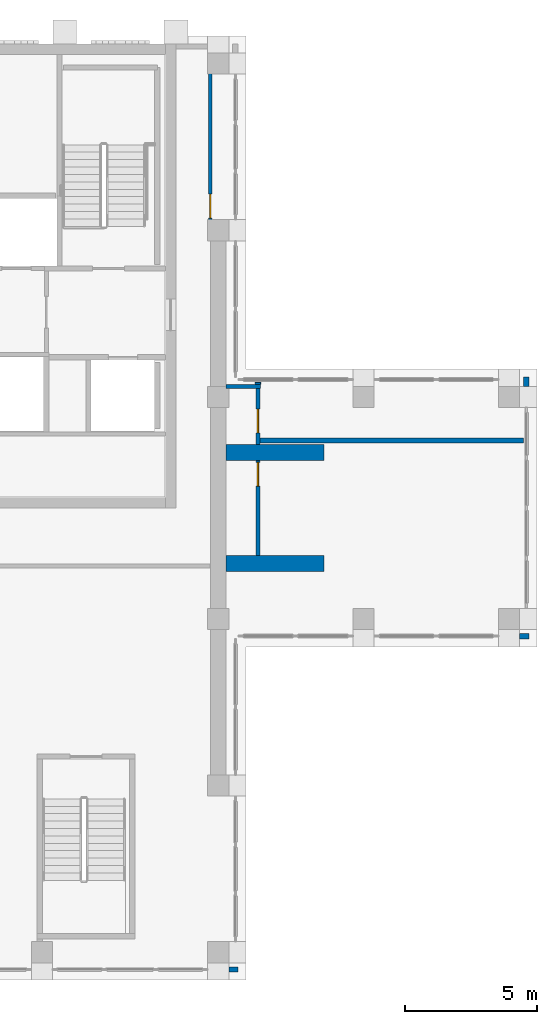
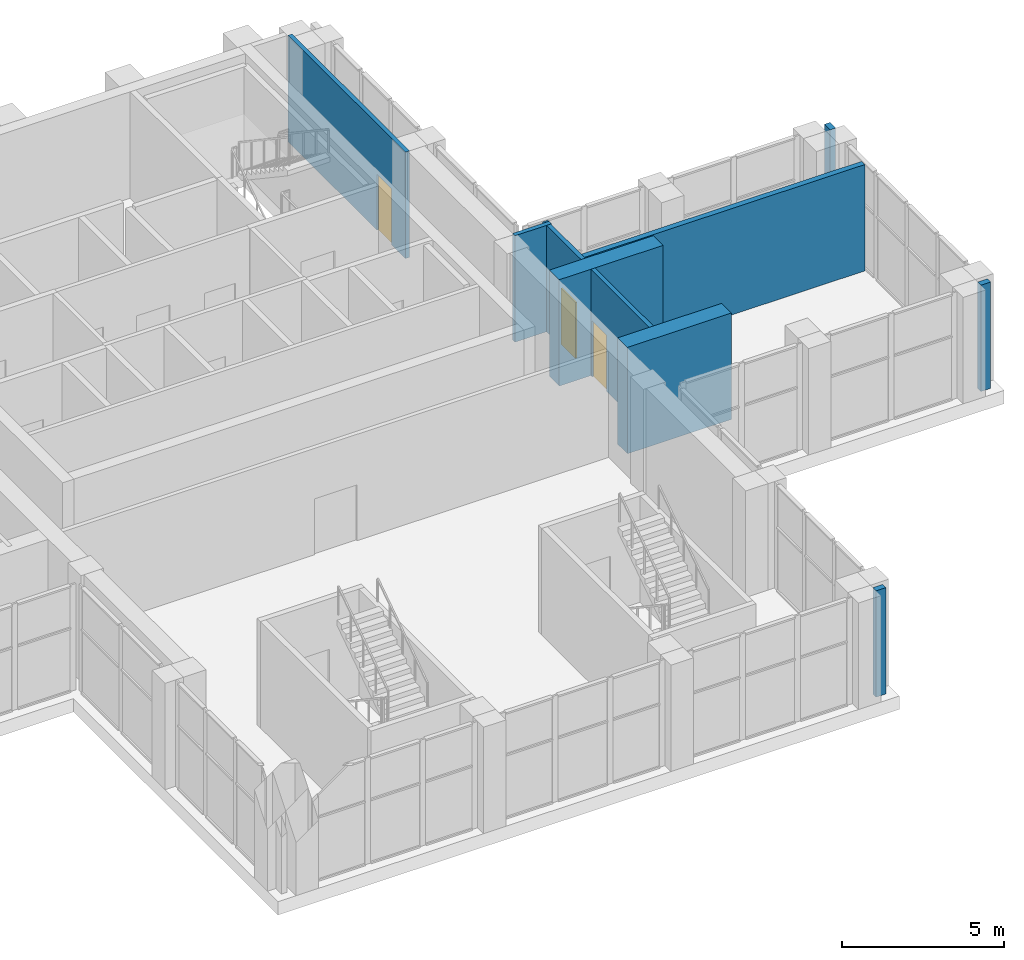
# One storey, part 11 of 15: 11 walls, 3 doors, 3 openings.
"""IFC4 building model written with IfcOpenShell, lengths in metres."""

import ifcopenshell
import ifcopenshell.guid

model = None  # the IFC model being written
_history = None  # IfcOwnerHistory: only IFC2X3 demands one
_inside = {}  # id of a spatial element -> (the spatial element, [elements in it])
_under = {}  # id of a project, library or spatial element -> (it, [spatial elements below it])
_declared = {}  # id of a project -> (the project, [libraries it declares])
_typed = {}  # id of a type object -> (the type object, [elements of that type])
_made_of = {}  # id of a material, layer set ... -> (it, [elements and type objects made of it])


def new_model(schema):
    """Start an empty IFC model of exactly this schema.

    Asked for "IFC4X3", IfcOpenShell would pick the latest addendum, in which some entities
    have other attributes; the version numbers below select the first issue.
    IFC2X3 requires an IfcOwnerHistory on every rooted entity: one is made here for all.
    """
    global model, _history
    if schema == "IFC4X3":
        model = ifcopenshell.file(schema_version=(4, 3, 0, 0))
    else:
        model = ifcopenshell.file(schema=schema)
    _inside.clear()
    _under.clear()
    _declared.clear()
    _typed.clear()
    _made_of.clear()
    _history = None
    if model.schema == "IFC2X3":
        org = make("IfcOrganization", Name="unknown")
        user = make(
            "IfcPersonAndOrganization",
            ThePerson=make("IfcPerson", FamilyName="unknown"),
            TheOrganization=org,
        )
        app = make(
            "IfcApplication",
            ApplicationDeveloper=org,
            Version="unknown",
            ApplicationFullName="unknown",
            ApplicationIdentifier="unknown",
        )
        _history = make(
            "IfcOwnerHistory",
            OwningUser=user,
            OwningApplication=app,
            ChangeAction="ADDED",
            CreationDate=0,
        )
    return model


def make(cls, **values):
    """One entity of the class cls with the attributes given. An attribute that is None is left unset."""
    return model.create_entity(
        cls, **{name: value for name, value in values.items() if value is not None}
    )


def rooted(cls, **values):
    """An entity with a GlobalId (a new one), such as an element, a storey or a relation."""
    return make(cls, GlobalId=ifcopenshell.guid.new(), OwnerHistory=_history, **values)


def si_unit(unit_type, name, prefix=None):
    """IfcSIUnit, for example si_unit("LENGTHUNIT", "METRE", prefix="MILLI")."""
    return make("IfcSIUnit", UnitType=unit_type, Prefix=prefix, Name=name)


def assignment(units):
    """IfcUnitAssignment: the units of a project."""
    return None if units is None else make("IfcUnitAssignment", Units=units)


def point(xyz):
    """IfcCartesianPoint."""
    return None if xyz is None else make("IfcCartesianPoint", Coordinates=xyz)


def direction(xyz):
    """IfcDirection."""
    return None if xyz is None else make("IfcDirection", DirectionRatios=xyz)


def frame(location, z_axis=None, x_axis=None):
    """IfcAxis2Placement3D, a coordinate frame: its origin and axes. An axis left out is left unset."""
    return make(
        "IfcAxis2Placement3D",
        Location=point(location),
        Axis=direction(z_axis),
        RefDirection=direction(x_axis),
    )


def frame_2d(location, x_axis=None):
    """IfcAxis2Placement2D, a coordinate frame in the plane: its origin and x axis."""
    return make(
        "IfcAxis2Placement2D", Location=point(location), RefDirection=direction(x_axis)
    )


def origin():
    """The frame at (0, 0, 0) with its axes left unset."""
    return frame((0.0, 0.0, 0.0))


def place(relative_to, where):
    """IfcLocalPlacement: puts the frame where relative to a parent placement (None: the world)."""
    return make(
        "IfcLocalPlacement", PlacementRelTo=relative_to, RelativePlacement=where
    )


def context(
    kind, dimensions, precision=None, world=None, true_north=None, identifier=None
):
    """IfcGeometricRepresentationContext, for example the 3D "Model" context."""
    return make(
        "IfcGeometricRepresentationContext",
        ContextIdentifier=identifier,
        ContextType=kind,
        CoordinateSpaceDimension=dimensions,
        Precision=precision,
        WorldCoordinateSystem=world,
        TrueNorth=true_north,
    )


def subcontext(parent, identifier, kind, view, scale=None):
    """IfcGeometricRepresentationSubContext, for example "Body" below "Model"."""
    return make(
        "IfcGeometricRepresentationSubContext",
        ContextIdentifier=identifier,
        ContextType=kind,
        ParentContext=parent,
        TargetScale=scale,
        TargetView=view,
    )


def project(units=None, contexts=None):
    """IfcProject with its units and contexts."""
    return rooted(
        "IfcProject",
        Name="project",
        RepresentationContexts=contexts,
        UnitsInContext=assignment(units),
    )


def spatial(cls, under=None, at=None, **own):
    """A site, building, storey or space (cls), placed at a placement, below another one or the project."""
    s = rooted(cls, ObjectPlacement=at, **own)
    if under is not None:
        _under.setdefault(under.id(), (under, []))[1].append(s)
    return s


def profile(cls, at=None, kind="AREA", **sizes):
    """A parametric profile (cls). Its sizes go by their IFC names, for example OverallWidth=200.0."""
    return make(cls, ProfileType=kind, Position=at, **sizes)


def rectangle(**sizes):
    """IfcRectangleProfileDef."""
    return profile("IfcRectangleProfileDef", **sizes)


def extrude(swept, where, along, depth):
    """IfcExtrudedAreaSolid: the profile swept, set in the frame where, extruded along a direction by depth."""
    return make(
        "IfcExtrudedAreaSolid",
        SweptArea=swept,
        Position=where,
        ExtrudedDirection=direction(along),
        Depth=depth,
    )


def shape(context_of_items, identifier, shape_type, items):
    """IfcShapeRepresentation: the items that make up one representation, for example the "Body"."""
    return make(
        "IfcShapeRepresentation",
        ContextOfItems=context_of_items,
        RepresentationIdentifier=identifier,
        RepresentationType=shape_type,
        Items=items,
    )


def material(Name=None, Category=None):
    """IfcMaterial."""
    return make("IfcMaterial", Name=Name, Category=Category)


def layer(
    of_material, thickness, ventilated=None, Name=None, Category=None, Priority=None
):
    """IfcMaterialLayer: one layer of a wall or slab, of a material (None: an air gap)."""
    return make(
        "IfcMaterialLayer",
        Material=of_material,
        LayerThickness=thickness,
        IsVentilated=ventilated,
        Name=Name,
        Category=Category,
        Priority=Priority,
    )


def layer_set(layers, Name=None):
    """IfcMaterialLayerSet."""
    return make("IfcMaterialLayerSet", MaterialLayers=layers, LayerSetName=Name)


def made_of(thing, what):
    """Note that an element or type object is made of a material, layer set ...; save() writes the relation."""
    if what is not None:
        _made_of.setdefault(what.id(), (what, []))[1].append(thing)
    return thing


def type_object(cls, material=None, **own):
    """A type object (cls), such as IfcWallType, which elements share."""
    return made_of(rooted(cls, **own), material)


def element(
    cls,
    number,
    at=None,
    inside=None,
    cuts=None,
    type_object=None,
    material=None,
    context=None,
    identifier="Body",
    shape_type=None,
    held_by="IfcProductDefinitionShape",
    body=None,
    shapes=None,
    **own,
):
    """One element of the class cls, such as IfcWall. Its Tag is "e" and its number.

    at: its placement. inside: the storey or other place that contains it. cuts: it is an
    opening in that element (IfcRelVoidsElement). A single representation is given by context,
    identifier, shape_type and body (its items); several are given by shapes. held_by: the class
    of the entity that holds the representations. save() writes the other relations.
    """
    e = rooted(cls, Tag="e%d" % number, ObjectPlacement=at, **own)
    if body is not None:
        shapes = [shape(context, identifier, shape_type, body)]
    if shapes is not None:
        e.Representation = make(held_by, Representations=shapes)
    if inside is not None:
        _inside.setdefault(inside.id(), (inside, []))[1].append(e)
    if cuts is not None:
        rooted(
            "IfcRelVoidsElement", RelatingBuildingElement=cuts, RelatedOpeningElement=e
        )
    if type_object is not None:
        _typed.setdefault(type_object.id(), (type_object, []))[1].append(e)
    return made_of(e, material)


def fill(opening, filler):
    """IfcRelFillsElement: the door or window that sits in an opening."""
    return rooted(
        "IfcRelFillsElement",
        RelatingOpeningElement=opening,
        RelatedBuildingElement=filler,
    )


def aggregate(whole, parts):
    """IfcRelAggregates: a whole, such as a stair, and the parts it consists of."""
    return rooted("IfcRelAggregates", RelatingObject=whole, RelatedObjects=parts)


def save(model, path):
    """Write the relations noted so far, then the file.

    IfcRelAggregates (storeys below a building ...), IfcRelContainedInSpatialStructure (elements
    in a storey), IfcRelDefinesByType, IfcRelAssociatesMaterial and IfcRelDeclares: one each for
    every whole, place, type object, material and project.
    """
    for whole, parts in _under.values():
        aggregate(whole, parts)
    for where, things in _inside.values():
        rooted(
            "IfcRelContainedInSpatialStructure",
            RelatedElements=things,
            RelatingStructure=where,
        )
    for kind, things in _typed.values():
        rooted("IfcRelDefinesByType", RelatedObjects=things, RelatingType=kind)
    for what, things in _made_of.values():
        rooted("IfcRelAssociatesMaterial", RelatedObjects=things, RelatingMaterial=what)
    for by, libraries in _declared.values():
        rooted("IfcRelDeclares", RelatingContext=by, RelatedDefinitions=libraries)
    model.write(path)


model = new_model("IFC4")

# Units and contexts
model_context = context("Model", 3, precision=1e-05, world=origin(), true_north=direction((0.0, 1.0)))
body_context = subcontext(model_context, "Body", "Model", "MODEL_VIEW")
ifc_project = project(units=[si_unit("LENGTHUNIT", "METRE"), si_unit("AREAUNIT", "SQUARE_METRE"), si_unit("VOLUMEUNIT", "CUBIC_METRE"), si_unit("PLANEANGLEUNIT", "RADIAN"), si_unit("MASSUNIT", "GRAM", prefix="KILO")], contexts=[model_context])

# Site, building, storey
site_placement = place(None, origin())
site = spatial("IfcSite", under=ifc_project, at=site_placement, CompositionType="ELEMENT")
building_placement = place(site_placement, origin())
building = spatial("IfcBuilding", under=site, at=building_placement, Name="Vermilion Ogive Tower", CompositionType="ELEMENT")
storey_placement = place(building_placement, frame((0.0, 0.0, 293.85009765625)))
storey = spatial("IfcBuildingStorey", under=building, at=storey_placement, Name="L76", CompositionType="ELEMENT", Elevation=293.85009765625)

# Wall
ifc_material_1 = material(Name="Gypsum board partition on steel studs", Category="steel")
ifc_layer_1 = layer(ifc_material_1, 0.14990234375)
ifc_layer_set_1 = layer_set([ifc_layer_1], Name="Partition 150 corridor")
wall_type_1 = type_object("IfcWallType", Name="Partition 150 corridor", PredefinedType="PARTITIONING", material=ifc_layer_set_1)
wall_1_placement = place(storey_placement, frame((10.301025390625, 8.800048828125, 0.0), z_axis=(0.0, 0.0, 1.0), x_axis=(1.0, 0.0, 0.0)))
element("IfcWall", 1, at=wall_1_placement, inside=storey, type_object=wall_type_1, Name="L76-FS-W-W006", PredefinedType="PARTITIONING", context=body_context, shape_type="SweptSolid", body=[
    extrude(rectangle(XDim=1.299072265625, YDim=0.14990234375, at=frame_2d((0.6494140625, 0.0))), origin(), (0.0, 0.0, 1.0), 4.0),
])

# Wall, opening, door
wall_2_placement = place(storey_placement, frame((9.699951171875, 14.301025390625, 0.0), z_axis=(0.0, 0.0, 1.0), x_axis=(0.0, 1.0, 0.0)))
wall_2 = element("IfcWall", 2, at=wall_2_placement, inside=storey, type_object=wall_type_1, Name="L76-FS-W-W011", PredefinedType="PARTITIONING", context=body_context, shape_type="SweptSolid", body=[
    extrude(rectangle(XDim=7.2490234375, YDim=0.14990234375, at=frame_2d((3.62451171875, 0.0))), origin(), (0.0, 0.0, 1.0), 4.0),
])
opening_1_placement = place(wall_2_placement, frame((0.861572265625, 0.0, 0.0)))
opening_1 = element("IfcOpeningElement", 3, at=opening_1_placement, cuts=wall_2, Name="Opening L76S009", PredefinedType="OPENING", context=body_context, shape_type="SweptSolid", body=[
    extrude(rectangle(XDim=0.89990234375, YDim=2.10009765625, at=frame_2d((0.449951171875, 1.050048828125))), frame((0.0, 0.0849609375, 0.0), z_axis=(0.0, -1.0, 0.0), x_axis=(1.0, 0.0, 0.0)), (0.0, 0.0, 1.0), 0.169921875),
])
ifc_material_2 = material(Name="Timber door leaf", Category="wood")
door_type = type_object("IfcDoorType", Name="Room door 900 x 2100 FD30", OperationType="SINGLE_SWING_LEFT", PredefinedType="DOOR", material=ifc_material_2)
door_1_placement = place(opening_1_placement, origin())
door_1 = element("IfcDoor", 4, at=door_1_placement, inside=storey, type_object=door_type, Name="L76-FS-D-D009", OperationType="SINGLE_SWING_RIGHT", OverallHeight=2.10009765625, OverallWidth=0.89990234375, PredefinedType="DOOR", context=body_context, shape_type="SweptSolid", body=[
    extrude(rectangle(XDim=0.89990234375, YDim=2.10009765625, at=frame_2d((0.449951171875, 1.050048828125))), frame((0.0, 0.02490234375, 0.0), z_axis=(0.0, -1.0, 0.0), x_axis=(1.0, 0.0, 0.0)), (0.0, 0.0, 1.0), 0.050048828125),
])
fill(opening_1, door_1)

wall_3_placement = place(storey_placement, frame((11.5, 2.40087890625, 0.0), z_axis=(0.0, 0.0, 1.0), x_axis=(0.0, 1.0, 0.0)))
wall_3 = element("IfcWall", 5, at=wall_3_placement, inside=storey, type_object=wall_type_1, Name="L76-FS-W-W012a", PredefinedType="PARTITIONING", context=body_context, shape_type="SweptSolid", body=[
    extrude(rectangle(XDim=3.59814453125, YDim=0.14990234375, at=frame_2d((1.799072265625, 0.0))), origin(), (0.0, 0.0, 1.0), 4.0),
])
opening_2_placement = place(wall_3_placement, frame((2.6240234375, 0.0, 0.0)))
opening_2 = element("IfcOpeningElement", 6, at=opening_2_placement, cuts=wall_3, Name="Opening L76S006", PredefinedType="OPENING", context=body_context, shape_type="SweptSolid", body=[
    extrude(rectangle(XDim=0.89990234375, YDim=2.10009765625, at=frame_2d((0.449951171875, 1.050048828125))), frame((0.0, 0.0849609375, 0.0), z_axis=(0.0, -1.0, 0.0), x_axis=(1.0, 0.0, 0.0)), (0.0, 0.0, 1.0), 0.169921875),
])
door_2_placement = place(opening_2_placement, origin())
door_2 = element("IfcDoor", 7, at=door_2_placement, inside=storey, type_object=door_type, Name="L76-FS-D-D006", OperationType="SINGLE_SWING_LEFT", OverallHeight=2.10009765625, OverallWidth=0.89990234375, PredefinedType="DOOR", context=body_context, shape_type="SweptSolid", body=[
    extrude(rectangle(XDim=0.89990234375, YDim=2.10009765625, at=frame_2d((0.449951171875, 1.050048828125))), frame((0.0, 0.02490234375, 0.0), z_axis=(0.0, -1.0, 0.0), x_axis=(1.0, 0.0, 0.0)), (0.0, 0.0, 1.0), 0.050048828125),
])
fill(opening_2, door_2)

wall_4_placement = place(storey_placement, frame((11.5, 6.60107421875, 0.0), z_axis=(0.0, 0.0, 1.0), x_axis=(0.0, 1.0, 0.0)))
wall_4 = element("IfcWall", 8, at=wall_4_placement, inside=storey, type_object=wall_type_1, Name="L76-FS-W-W012b", PredefinedType="PARTITIONING", context=body_context, shape_type="SweptSolid", body=[
    extrude(rectangle(XDim=2.1240234375, YDim=0.14990234375, at=frame_2d((1.06201171875, 0.0))), origin(), (0.0, 0.0, 1.0), 4.0),
])
opening_3_placement = place(wall_4_placement, frame((0.4365234375, 0.0, 0.0)))
opening_3 = element("IfcOpeningElement", 9, at=opening_3_placement, cuts=wall_4, Name="Opening L76S007", PredefinedType="OPENING", context=body_context, shape_type="SweptSolid", body=[
    extrude(rectangle(XDim=0.89990234375, YDim=2.10009765625, at=frame_2d((0.449951171875, 1.050048828125))), frame((0.0, 0.0849609375, 0.0), z_axis=(0.0, -1.0, 0.0), x_axis=(1.0, 0.0, 0.0)), (0.0, 0.0, 1.0), 0.169921875),
])
door_3_placement = place(opening_3_placement, origin())
door_3 = element("IfcDoor", 10, at=door_3_placement, inside=storey, type_object=door_type, Name="L76-FS-D-D007", OperationType="SINGLE_SWING_RIGHT", OverallHeight=2.10009765625, OverallWidth=0.89990234375, PredefinedType="DOOR", context=body_context, shape_type="SweptSolid", body=[
    extrude(rectangle(XDim=0.89990234375, YDim=2.10009765625, at=frame_2d((0.449951171875, 1.050048828125))), frame((0.0, 0.02490234375, 0.0), z_axis=(0.0, -1.0, 0.0), x_axis=(1.0, 0.0, 0.0)), (0.0, 0.0, 1.0), 0.050048828125),
])
fill(opening_3, door_3)

# Walls
ifc_material_3 = material(Name="Gypsum board partition on steel studs", Category="steel")
ifc_layer_2 = layer(ifc_material_3, 0.199951171875)
ifc_layer_set_2 = layer_set([ifc_layer_2], Name="Partition 200 party")
wall_type_2 = type_object("IfcWallType", Name="Partition 200 party", PredefinedType="PARTITIONING", material=ifc_layer_set_2)
wall_5_placement = place(storey_placement, frame((11.574951171875, 6.75, 0.0), z_axis=(0.0, 0.0, 1.0), x_axis=(1.0, 0.0, 0.0)))
element("IfcWall", 11, at=wall_5_placement, inside=storey, type_object=wall_type_2, Name="L76-FS-W-W004", PredefinedType="PARTITIONING", context=body_context, shape_type="SweptSolid", body=[
    extrude(rectangle(XDim=9.97509765625, YDim=0.199951171875, at=frame_2d((4.987548828125, 0.0))), origin(), (0.0, 0.0, 1.0), 4.0),
])
wall_6_placement = place(storey_placement, frame((11.5, 8.875, 0.0), z_axis=(0.0, 0.0, 1.0), x_axis=(0.0, 1.0, 0.0)))
element("IfcWall", 12, at=wall_6_placement, inside=storey, type_object=wall_type_2, Name="L76-FS-W-W013", PredefinedType="PARTITIONING", context=body_context, shape_type="SweptSolid", body=[
    extrude(rectangle(XDim=0.074951171875, YDim=0.199951171875, at=frame_2d((0.03759765625, 0.0))), origin(), (0.0, 0.0, 1.0), 4.0),
])
ifc_material_4 = material(Name="Concrete B60", Category="concrete")
ifc_layer_3 = layer(ifc_material_4, 0.60009765625)
ifc_layer_set_3 = layer_set([ifc_layer_3], Name="Transfer wall 600 B60")
wall_type_3 = type_object("IfcWallType", Name="Transfer wall 600 B60", PredefinedType="SHEAR", material=ifc_layer_set_3)
for number, where, z_axis, x_axis, name in (
    (13, (10.300048828125, 2.10009765625, 0.0), (0.0, 0.0, 1.0), (1.0, 0.0, 0.0), "L76-TW-5"),
    (14, (10.300048828125, 6.300048828125, 0.0), (0.0, 0.0, 1.0), (1.0, 0.0, 0.0), "L76-TW-7"),
):
    element("IfcWall", number, at=place(storey_placement, frame(where, z_axis=z_axis, x_axis=x_axis)), inside=storey, type_object=wall_type_3, Name=name, PredefinedType="SHEAR", context=body_context, shape_type="SweptSolid", body=[
        extrude(rectangle(XDim=3.699951171875, YDim=0.60009765625, at=frame_2d((1.85009765625, 0.0))), origin(), (0.0, 0.0, 1.0), 4.0),
    ])
ifc_material_5 = material(Name="Aluminium window wall framing", Category="aluminium")
ifc_layer_4 = layer(ifc_material_5, 0.199951171875)
ifc_layer_set_4 = layer_set([ifc_layer_4], Name="Window wall")
wall_type_4 = type_object("IfcWallType", Name="Window wall", PredefinedType="STANDARD", material=ifc_layer_set_4)
for number, where, z_axis, x_axis, name in (
    (15, (10.39990234375, -13.25, 0.0), (0.0, 0.0, 1.0), (1.0, 0.0, 0.0), "Window wall S4"),
    (16, (21.39990234375, -0.64990234375, 0.0), (0.0, 0.0, 1.0), (1.0, 0.0, 0.0), "Window wall X23"),
):
    element("IfcWall", number, at=place(storey_placement, frame(where, z_axis=z_axis, x_axis=x_axis)), inside=storey, type_object=wall_type_4, Name=name, PredefinedType="STANDARD", context=body_context, shape_type="SweptSolid", body=[
        extrude(rectangle(XDim=0.35009765625, YDim=0.199951171875, at=frame_2d((0.175048828125, 0.0))), origin(), (0.0, 0.0, 1.0), 4.0),
    ])
wall_7_placement = place(storey_placement, frame((21.64990234375, 8.800048828125, 0.0), z_axis=(0.0, 0.0, 1.0), x_axis=(0.0, 1.0, 0.0)))
element("IfcWall", 17, at=wall_7_placement, inside=storey, type_object=wall_type_4, Name="Window wall E2", PredefinedType="STANDARD", context=body_context, shape_type="SweptSolid", body=[
    extrude(rectangle(XDim=0.349853515625, YDim=0.199951171875, at=frame_2d((0.1748046875, 0.0))), origin(), (0.0, 0.0, 1.0), 4.0),
])

save(model, "model.ifc")
